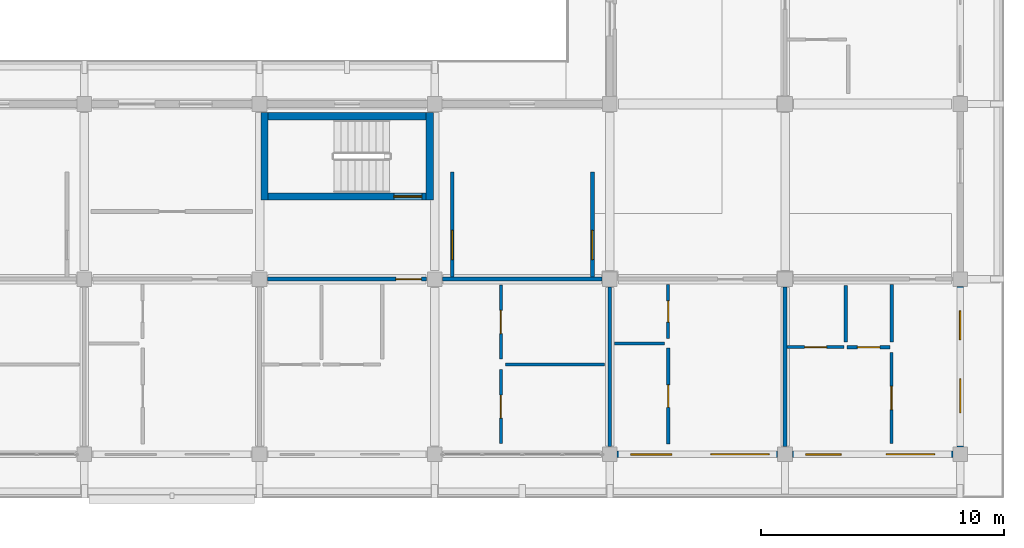
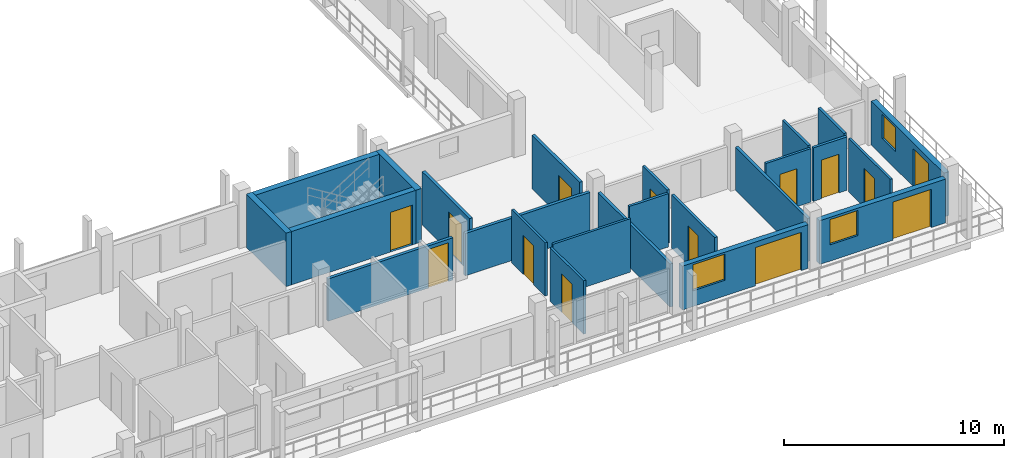
# One storey, part 130 of 157: 24 walls, 14 doors, 3 windows, 17 openings.
"""IFC4 building model written with IfcOpenShell, lengths in metres."""

from ifc_helpers import new_model, si_unit, direction, frame, frame_2d, origin, place, context, subcontext, project, spatial, rectangle, extrude, material, layer, layer_set, type_object, element, fill, save


model = new_model("IFC4")

# Units and contexts
model_context = context("Model", 3, precision=1e-05, world=origin(), true_north=direction((0.0, 1.0)))
body_context = subcontext(model_context, "Body", "Model", "MODEL_VIEW")
ifc_project = project(units=[si_unit("LENGTHUNIT", "METRE"), si_unit("AREAUNIT", "SQUARE_METRE"), si_unit("VOLUMEUNIT", "CUBIC_METRE"), si_unit("PLANEANGLEUNIT", "RADIAN"), si_unit("MASSUNIT", "GRAM", prefix="KILO")], contexts=[model_context])

# Site, building, storey
site_placement = place(None, origin())
site = spatial("IfcSite", under=ifc_project, at=site_placement, CompositionType="ELEMENT")
building_placement = place(site_placement, origin())
building = spatial("IfcBuilding", under=site, at=building_placement, Name="Suanplinth Sawtooth Commons", CompositionType="ELEMENT")
storey_placement = place(building_placement, frame((0.0, 0.0, 9.0)))
storey = spatial("IfcBuildingStorey", under=building, at=storey_placement, Name="L02", CompositionType="ELEMENT", Elevation=9.0)

# Wall, opening, door
ifc_material_1 = material(Name="Concrete C40/50", Category="concrete")
ifc_layer_1 = layer(ifc_material_1, 0.300048828125, Name="Standard RC stair and lift core wall 300mm")
ifc_layer_set_1 = layer_set([ifc_layer_1], Name="Concrete C40/50")
wall_type_1 = type_object("IfcWallType", Name="W-CR02", PredefinedType="SHEAR", material=ifc_layer_set_1)
wall_1_placement = place(storey_placement, frame((158.75, 10.60009765625, 0.0), z_axis=(0.0, 0.0, 1.0), x_axis=(1.0, 0.0, 0.0)))
wall_1 = element("IfcWall", 1, at=wall_1_placement, inside=storey, type_object=wall_type_1, Name="W-L02-C-C2-STS", PredefinedType="SHEAR", context=body_context, shape_type="SweptSolid", body=[
    extrude(rectangle(XDim=6.5, YDim=0.300048828125, at=frame_2d((3.25, 0.0))), origin(), (0.0, 0.0, 1.0), 2.9599609375),
])
opening_1_placement = place(wall_1_placement, frame((5.169921875, 0.0, 0.0)))
opening_1 = element("IfcOpeningElement", 2, at=opening_1_placement, cuts=wall_1, Name="Opening FD0330", PredefinedType="OPENING", context=body_context, shape_type="SweptSolid", body=[
    extrude(rectangle(XDim=1.14990234375, YDim=2.199951171875, at=frame_2d((0.574951171875, 1.10009765625))), frame((0.0, 0.1650390625, 0.0), z_axis=(0.0, -1.0, 0.0), x_axis=(1.0, 0.0, 0.0)), (0.0, 0.0, 1.0), 0.329833984375),
])
ifc_material_2 = material(Name="Teak hardwood fire-rated door assembly", Category="wood")
door_type_1 = type_object("IfcDoorType", Name="FD-01", OperationType="NOTDEFINED", PredefinedType="DOOR", material=ifc_material_2)
door_1_placement = place(opening_1_placement, origin())
door_1 = element("IfcDoor", 3, at=door_1_placement, inside=storey, type_object=door_type_1, Name="Exit Stair Fire Door FD0330", OperationType="SINGLE_SWING_LEFT", OverallHeight=2.199951171875, OverallWidth=1.14990234375, PredefinedType="DOOR", context=body_context, shape_type="SweptSolid", body=[
    extrude(rectangle(XDim=1.14990234375, YDim=2.199951171875, at=frame_2d((0.574951171875, 1.10009765625))), frame((0.0, 0.02490234375, 0.0), z_axis=(0.0, -1.0, 0.0), x_axis=(1.0, 0.0, 0.0)), (0.0, 0.0, 1.0), 0.050048828125),
])
fill(opening_1, door_1)

# Walls
wall_2_placement = place(storey_placement, frame((158.75, 13.89990234375, 0.0), z_axis=(0.0, 0.0, 1.0), x_axis=(1.0, 0.0, 0.0)))
element("IfcWall", 4, at=wall_2_placement, inside=storey, type_object=wall_type_1, Name="W-L02-C-C2-STN", PredefinedType="SHEAR", context=body_context, shape_type="SweptSolid", body=[
    extrude(rectangle(XDim=6.5, YDim=0.300048828125, at=frame_2d((3.25, 0.0))), origin(), (0.0, 0.0, 1.0), 2.9599609375),
])
for number, where, z_axis, x_axis, name in (
    (5, (158.60009765625, 10.449951171875, 0.0), (0.0, 0.0, 1.0), (0.0, 1.0, 0.0), "W-L02-C-C2-STW"),
    (6, (165.39990234375, 10.449951171875, 0.0), (0.0, 0.0, 1.0), (0.0, 1.0, 0.0), "W-L02-C-C2-STE"),
):
    element("IfcWall", number, at=place(storey_placement, frame(where, z_axis=z_axis, x_axis=x_axis)), inside=storey, type_object=wall_type_1, Name=name, PredefinedType="SHEAR", context=body_context, shape_type="SweptSolid", body=[
        extrude(rectangle(XDim=3.60009765625, YDim=0.300048828125, at=frame_2d((1.800048828125, 0.0))), origin(), (0.0, 0.0, 1.0), 2.9599609375),
    ])

# Wall, openings, door, window
ifc_material_3 = material(Name="Precast concrete C40/50", Category="concrete")
ifc_layer_2 = layer(ifc_material_3, 0.280029296875, Name="Insulated precast architectural facade wall 280mm")
ifc_layer_set_2 = layer_set([ifc_layer_2], Name="Precast concrete C40/50")
wall_type_2 = type_object("IfcWallType", Name="W-EX01", PredefinedType="ELEMENTEDWALL", material=ifc_layer_set_2)
wall_3_placement = place(storey_placement, frame((173.10009765625, 0.0, 0.0), z_axis=(0.0, 0.0, 1.0), x_axis=(1.0, 0.0, 0.0)))
wall_3 = element("IfcWall", 7, at=wall_3_placement, inside=storey, type_object=wall_type_2, Name="Facade Wall W-L02-C-S-24-0", PredefinedType="ELEMENTEDWALL", context=body_context, shape_type="SweptSolid", body=[
    extrude(rectangle(XDim=6.599853515625, YDim=0.280029296875, at=frame_2d((3.2998046875, 0.0))), origin(), (0.0, 0.0, 1.0), 2.425048828125),
])
opening_2_placement = place(wall_3_placement, frame((3.85009765625, 0.0, 0.0)))
opening_2 = element("IfcOpeningElement", 8, at=opening_2_placement, cuts=wall_3, Name="Opening ED0186", PredefinedType="OPENING", context=body_context, shape_type="SweptSolid", body=[
    extrude(rectangle(XDim=2.39990234375, YDim=2.1201171875, at=frame_2d((1.199951171875, 1.06005859375))), frame((0.0, 0.15478515625, 0.0), z_axis=(0.0, -1.0, 0.0), x_axis=(1.0, 0.0, 0.0)), (0.0, 0.0, 1.0), 0.309814453125),
])
opening_3_placement = place(wall_3_placement, frame((0.550048828125, 0.0, 0.864990234375)))
opening_3 = element("IfcOpeningElement", 9, at=opening_3_placement, cuts=wall_3, Name="Opening W0304", PredefinedType="OPENING", context=body_context, shape_type="SweptSolid", body=[
    extrude(rectangle(XDim=1.699951171875, YDim=1.449951171875, at=frame_2d((0.85009765625, 0.72509765625))), frame((0.0, 0.15478515625, 0.0), z_axis=(0.0, -1.0, 0.0), x_axis=(1.0, 0.0, 0.0)), (0.0, 0.0, 1.0), 0.309814453125),
])
ifc_material_4 = material(Name="Anodized aluminium and low-E glass", Category="aluminium")
door_type_2 = type_object("IfcDoorType", Name="SD-04", OperationType="DOUBLE_DOOR_SLIDING", PredefinedType="DOOR", material=ifc_material_4)
door_2_placement = place(opening_2_placement, frame((2.39990234375, 0.0, 0.0), z_axis=(0.0, 0.0, 1.0), x_axis=(-1.0, 0.0, 0.0)))
door_2 = element("IfcDoor", 10, at=door_2_placement, inside=storey, type_object=door_type_2, Name="Balcony Sliding Door L02-C-24", OperationType="DOUBLE_DOOR_SLIDING", OverallHeight=2.1201171875, OverallWidth=2.39990234375, PredefinedType="DOOR", context=body_context, shape_type="SweptSolid", body=[
    extrude(rectangle(XDim=2.39990234375, YDim=2.1201171875, at=frame_2d((1.199951171875, 1.06005859375))), frame((0.0, 0.02490234375, 0.0), z_axis=(0.0, -1.0, 0.0), x_axis=(1.0, 0.0, 0.0)), (0.0, 0.0, 1.0), 0.050048828125),
])
fill(opening_2, door_2)
ifc_material_5 = material(Name="Thermally broken aluminium and low-E double glazing", Category="aluminium")
window_type_1 = type_object("IfcWindowType", Name="WN-15", PartitioningType="DOUBLE_PANEL_VERTICAL", PredefinedType="WINDOW", material=ifc_material_5)
window_1_placement = place(opening_3_placement, origin())
window_1 = element("IfcWindow", 11, at=window_1_placement, inside=storey, type_object=window_type_1, Name="Apartment Window L02-C-24", OverallHeight=1.449951171875, OverallWidth=1.699951171875, PartitioningType="DOUBLE_PANEL_VERTICAL", PredefinedType="WINDOW", context=body_context, shape_type="SweptSolid", body=[
    extrude(rectangle(XDim=1.699951171875, YDim=1.449951171875, at=frame_2d((0.85009765625, 0.72509765625))), frame((0.0, 0.030029296875, 0.0), z_axis=(0.0, -1.0, 0.0), x_axis=(1.0, 0.0, 0.0)), (0.0, 0.0, 1.0), 0.06005859375),
])
fill(opening_3, window_1)

wall_4_placement = place(storey_placement, frame((180.300048828125, 0.0, 0.0), z_axis=(0.0, 0.0, 1.0), x_axis=(1.0, 0.0, 0.0)))
wall_4 = element("IfcWall", 12, at=wall_4_placement, inside=storey, type_object=wall_type_2, Name="Facade Wall W-L02-C-S-25-0", PredefinedType="ELEMENTEDWALL", context=body_context, shape_type="SweptSolid", body=[
    extrude(rectangle(XDim=6.599853515625, YDim=0.280029296875, at=frame_2d((3.2998046875, 0.0))), origin(), (0.0, 0.0, 1.0), 2.425048828125),
])
opening_4_placement = place(wall_4_placement, frame((3.85009765625, 0.0, 0.0)))
opening_4 = element("IfcOpeningElement", 13, at=opening_4_placement, cuts=wall_4, Name="Opening ED0191", PredefinedType="OPENING", context=body_context, shape_type="SweptSolid", body=[
    extrude(rectangle(XDim=2.0, YDim=2.1201171875, at=frame_2d((1.0, 1.06005859375))), frame((0.0, 0.15478515625, 0.0), z_axis=(0.0, -1.0, 0.0), x_axis=(1.0, 0.0, 0.0)), (0.0, 0.0, 1.0), 0.309814453125),
])
opening_5_placement = place(wall_4_placement, frame((0.550048828125, 0.0, 0.89990234375)))
opening_5 = element("IfcOpeningElement", 14, at=opening_5_placement, cuts=wall_4, Name="Opening W0306", PredefinedType="OPENING", context=body_context, shape_type="SweptSolid", body=[
    extrude(rectangle(XDim=1.449951171875, YDim=1.39990234375, at=frame_2d((0.72509765625, 0.699951171875))), frame((0.0, 0.15478515625, 0.0), z_axis=(0.0, -1.0, 0.0), x_axis=(1.0, 0.0, 0.0)), (0.0, 0.0, 1.0), 0.309814453125),
])
door_type_3 = type_object("IfcDoorType", Name="SD-06", OperationType="DOUBLE_DOOR_SLIDING", PredefinedType="DOOR", material=ifc_material_4)
door_3_placement = place(opening_4_placement, frame((2.0, 0.0, 0.0), z_axis=(0.0, 0.0, 1.0), x_axis=(-1.0, 0.0, 0.0)))
door_3 = element("IfcDoor", 15, at=door_3_placement, inside=storey, type_object=door_type_3, Name="Balcony Sliding Door L02-C-25", OperationType="DOUBLE_DOOR_SLIDING", OverallHeight=2.1201171875, OverallWidth=2.0, PredefinedType="DOOR", context=body_context, shape_type="SweptSolid", body=[
    extrude(rectangle(XDim=2.0, YDim=2.1201171875, at=frame_2d((1.0, 1.06005859375))), frame((0.0, 0.02490234375, 0.0), z_axis=(0.0, -1.0, 0.0), x_axis=(1.0, 0.0, 0.0)), (0.0, 0.0, 1.0), 0.050048828125),
])
fill(opening_4, door_3)
window_type_2 = type_object("IfcWindowType", Name="WN-16", PartitioningType="DOUBLE_PANEL_VERTICAL", PredefinedType="WINDOW", material=ifc_material_5)
window_2_placement = place(opening_5_placement, origin())
window_2 = element("IfcWindow", 16, at=window_2_placement, inside=storey, type_object=window_type_2, Name="Apartment Window L02-C-25", OverallHeight=1.39990234375, OverallWidth=1.449951171875, PartitioningType="DOUBLE_PANEL_VERTICAL", PredefinedType="WINDOW", context=body_context, shape_type="SweptSolid", body=[
    extrude(rectangle(XDim=1.449951171875, YDim=1.39990234375, at=frame_2d((0.72509765625, 0.699951171875))), frame((0.0, 0.030029296875, 0.0), z_axis=(0.0, -1.0, 0.0), x_axis=(1.0, 0.0, 0.0)), (0.0, 0.0, 1.0), 0.06005859375),
])
fill(opening_5, window_2)

wall_5_placement = place(storey_placement, frame((187.199951171875, 0.300048828125, 0.0), z_axis=(0.0, 0.0, 1.0), x_axis=(0.0, 1.0, 0.0)))
wall_5 = element("IfcWall", 17, at=wall_5_placement, inside=storey, type_object=wall_type_2, Name="Facade Wall W-L02-C-E-25-0", PredefinedType="ELEMENTEDWALL", context=body_context, shape_type="SweptSolid", body=[
    extrude(rectangle(XDim=6.599853515625, YDim=0.280029296875, at=frame_2d((3.2998046875, 0.0))), origin(), (0.0, 0.0, 1.0), 2.425048828125),
])
opening_6_placement = place(wall_5_placement, frame((1.39990234375, 0.0, 0.0)))
opening_6 = element("IfcOpeningElement", 18, at=opening_6_placement, cuts=wall_5, Name="Opening ED0192", PredefinedType="OPENING", context=body_context, shape_type="SweptSolid", body=[
    extrude(rectangle(XDim=1.39990234375, YDim=2.10009765625, at=frame_2d((0.699951171875, 1.050048828125))), frame((0.0, 0.15478515625, 0.0), z_axis=(0.0, -1.0, 0.0), x_axis=(1.0, 0.0, 0.0)), (0.0, 0.0, 1.0), 0.309814453125),
])
opening_7_placement = place(wall_5_placement, frame((4.39990234375, 0.0, 0.949951171875)))
opening_7 = element("IfcOpeningElement", 19, at=opening_7_placement, cuts=wall_5, Name="Opening W0307", PredefinedType="OPENING", context=body_context, shape_type="SweptSolid", body=[
    extrude(rectangle(XDim=1.199951171875, YDim=1.35009765625, at=frame_2d((0.60009765625, 0.675048828125))), frame((0.0, 0.15478515625, 0.0), z_axis=(0.0, -1.0, 0.0), x_axis=(1.0, 0.0, 0.0)), (0.0, 0.0, 1.0), 0.309814453125),
])
door_type_4 = type_object("IfcDoorType", Name="SD-07", OperationType="SLIDING_TO_RIGHT", PredefinedType="DOOR", material=ifc_material_4)
door_4_placement = place(opening_6_placement, frame((1.39990234375, 0.0, 0.0), z_axis=(0.0, 0.0, 1.0), x_axis=(-1.0, 0.0, 0.0)))
door_4 = element("IfcDoor", 20, at=door_4_placement, inside=storey, type_object=door_type_4, Name="End Balcony Sliding Door L02-C-E-25-0", OperationType="SLIDING_TO_RIGHT", OverallHeight=2.10009765625, OverallWidth=1.39990234375, PredefinedType="DOOR", context=body_context, shape_type="SweptSolid", body=[
    extrude(rectangle(XDim=1.39990234375, YDim=2.10009765625, at=frame_2d((0.699951171875, 1.050048828125))), frame((0.0, 0.02490234375, 0.0), z_axis=(0.0, -1.0, 0.0), x_axis=(1.0, 0.0, 0.0)), (0.0, 0.0, 1.0), 0.050048828125),
])
fill(opening_6, door_4)
window_type_3 = type_object("IfcWindowType", Name="WN-03", PartitioningType="SINGLE_PANEL", PredefinedType="WINDOW", material=ifc_material_5)
window_3_placement = place(opening_7_placement, origin())
window_3 = element("IfcWindow", 21, at=window_3_placement, inside=storey, type_object=window_type_3, Name="End Bedroom Window L02-C-25-0", OverallHeight=1.35009765625, OverallWidth=1.199951171875, PartitioningType="SINGLE_PANEL", PredefinedType="WINDOW", context=body_context, shape_type="SweptSolid", body=[
    extrude(rectangle(XDim=1.199951171875, YDim=1.35009765625, at=frame_2d((0.60009765625, 0.675048828125))), frame((0.0, 0.030029296875, 0.0), z_axis=(0.0, -1.0, 0.0), x_axis=(1.0, 0.0, 0.0)), (0.0, 0.0, 1.0), 0.06005859375),
])
fill(opening_7, window_3)

# Wall, opening, door
ifc_layer_3 = layer(ifc_material_3, 0.159912109375, Name="Fire-rated corridor and lobby wall 160mm")
ifc_layer_set_3 = layer_set([ifc_layer_3], Name="Precast concrete C40/50")
wall_type_3 = type_object("IfcWallType", Name="W-FW01", PredefinedType="PARTITIONING", material=ifc_layer_set_3)
wall_6_placement = place(storey_placement, frame((166.320068359375, 7.280029296875, 0.0), z_axis=(0.0, 0.0, 1.0), x_axis=(0.0, 1.0, 0.0)))
wall_6 = element("IfcWall", 22, at=wall_6_placement, inside=storey, type_object=wall_type_3, Name="W-L02-C-C2-LOB-W", PredefinedType="PARTITIONING", context=body_context, shape_type="SweptSolid", body=[
    extrude(rectangle(XDim=4.320068359375, YDim=0.159912109375, at=frame_2d((2.16015625, 0.0))), origin(), (0.0, 0.0, 1.0), 2.9599609375),
])
opening_8_placement = place(wall_6_placement, frame((0.719970703125, 0.0, 0.0)))
opening_8 = element("IfcOpeningElement", 23, at=opening_8_placement, cuts=wall_6, Name="Opening FD0331", PredefinedType="OPENING", context=body_context, shape_type="SweptSolid", body=[
    extrude(rectangle(XDim=1.199951171875, YDim=2.199951171875, at=frame_2d((0.60009765625, 1.10009765625))), frame((0.0, 0.0947265625, 0.0), z_axis=(0.0, -1.0, 0.0), x_axis=(1.0, 0.0, 0.0)), (0.0, 0.0, 1.0), 0.189697265625),
])
door_type_5 = type_object("IfcDoorType", Name="FD-02", OperationType="NOTDEFINED", PredefinedType="DOOR", material=ifc_material_2)
door_5_placement = place(opening_8_placement, origin())
door_5 = element("IfcDoor", 24, at=door_5_placement, inside=storey, type_object=door_type_5, Name="Lobby Fire Door FD0331", OperationType="SINGLE_SWING_RIGHT", OverallHeight=2.199951171875, OverallWidth=1.199951171875, PredefinedType="DOOR", context=body_context, shape_type="SweptSolid", body=[
    extrude(rectangle(XDim=1.199951171875, YDim=2.199951171875, at=frame_2d((0.60009765625, 1.10009765625))), frame((0.0, 0.02490234375, 0.0), z_axis=(0.0, -1.0, 0.0), x_axis=(1.0, 0.0, 0.0)), (0.0, 0.0, 1.0), 0.050048828125),
])
fill(opening_8, door_5)

wall_7_placement = place(storey_placement, frame((172.080078125, 7.280029296875, 0.0), z_axis=(0.0, 0.0, 1.0), x_axis=(0.0, 1.0, 0.0)))
wall_7 = element("IfcWall", 25, at=wall_7_placement, inside=storey, type_object=wall_type_3, Name="W-L02-C-C2-LOB-E", PredefinedType="PARTITIONING", context=body_context, shape_type="SweptSolid", body=[
    extrude(rectangle(XDim=4.320068359375, YDim=0.159912109375, at=frame_2d((2.16015625, 0.0))), origin(), (0.0, 0.0, 1.0), 2.9599609375),
])
opening_9_placement = place(wall_7_placement, frame((0.719970703125, 0.0, 0.0)))
opening_9 = element("IfcOpeningElement", 26, at=opening_9_placement, cuts=wall_7, Name="Opening FD0332", PredefinedType="OPENING", context=body_context, shape_type="SweptSolid", body=[
    extrude(rectangle(XDim=1.199951171875, YDim=2.199951171875, at=frame_2d((0.60009765625, 1.10009765625))), frame((0.0, 0.0947265625, 0.0), z_axis=(0.0, -1.0, 0.0), x_axis=(1.0, 0.0, 0.0)), (0.0, 0.0, 1.0), 0.189697265625),
])
door_6_placement = place(opening_9_placement, frame((1.199951171875, 0.0, 0.0), z_axis=(0.0, 0.0, 1.0), x_axis=(-1.0, 0.0, 0.0)))
door_6 = element("IfcDoor", 27, at=door_6_placement, inside=storey, type_object=door_type_5, Name="Lobby Fire Door FD0332", OperationType="SINGLE_SWING_LEFT", OverallHeight=2.199951171875, OverallWidth=1.199951171875, PredefinedType="DOOR", context=body_context, shape_type="SweptSolid", body=[
    extrude(rectangle(XDim=1.199951171875, YDim=2.199951171875, at=frame_2d((0.60009765625, 1.10009765625))), frame((0.0, 0.02490234375, 0.0), z_axis=(0.0, -1.0, 0.0), x_axis=(1.0, 0.0, 0.0)), (0.0, 0.0, 1.0), 0.050048828125),
])
fill(opening_9, door_6)

wall_8_placement = place(storey_placement, frame((158.72998046875, 7.199951171875, 0.0), z_axis=(0.0, 0.0, 1.0), x_axis=(1.0, 0.0, 0.0)))
wall_8 = element("IfcWall", 28, at=wall_8_placement, inside=storey, type_object=wall_type_3, Name="W-C-L02-U05-COR-S1", PredefinedType="PARTITIONING", context=body_context, shape_type="SweptSolid", body=[
    extrude(rectangle(XDim=6.5400390625, YDim=0.159912109375, at=frame_2d((3.27001953125, 0.0))), origin(), (0.0, 0.0, 1.0), 2.344970703125),
])
opening_10_placement = place(wall_8_placement, frame((5.27490234375, 0.0, 0.0)))
opening_10 = element("IfcOpeningElement", 29, at=opening_10_placement, cuts=wall_8, Name="Opening FD0802", PredefinedType="OPENING", context=body_context, shape_type="SweptSolid", body=[
    extrude(rectangle(XDim=1.050048828125, YDim=2.14990234375, at=frame_2d((0.52490234375, 1.074951171875))), frame((0.0, 0.0947265625, 0.0), z_axis=(0.0, -1.0, 0.0), x_axis=(1.0, 0.0, 0.0)), (0.0, 0.0, 1.0), 0.189697265625),
])
door_type_6 = type_object("IfcDoorType", Name="FD-04", OperationType="NOTDEFINED", PredefinedType="DOOR", material=ifc_material_2)
door_7_placement = place(opening_10_placement, frame((1.050048828125, 0.0, 0.0), z_axis=(0.0, 0.0, 1.0), x_axis=(-1.0, 0.0, 0.0)))
door_7 = element("IfcDoor", 30, at=door_7_placement, inside=storey, type_object=door_type_6, Name="Unit Entrance Door FD0802", OperationType="SINGLE_SWING_RIGHT", OverallHeight=2.14990234375, OverallWidth=1.050048828125, PredefinedType="DOOR", context=body_context, shape_type="SweptSolid", body=[
    extrude(rectangle(XDim=1.050048828125, YDim=2.14990234375, at=frame_2d((0.52490234375, 1.074951171875))), frame((0.0, 0.02490234375, 0.0), z_axis=(0.0, -1.0, 0.0), x_axis=(1.0, 0.0, 0.0)), (0.0, 0.0, 1.0), 0.050048828125),
])
fill(opening_10, door_7)

# Walls
wall_9_placement = place(storey_placement, frame((165.929931640625, 7.199951171875, 0.0), z_axis=(0.0, 0.0, 1.0), x_axis=(1.0, 0.0, 0.0)))
element("IfcWall", 31, at=wall_9_placement, inside=storey, type_object=wall_type_3, Name="W-C-L02-U05-COR-S2", PredefinedType="PARTITIONING", context=body_context, shape_type="SweptSolid", body=[
    extrude(rectangle(XDim=6.5400390625, YDim=0.159912109375, at=frame_2d((3.27001953125, 0.0))), origin(), (0.0, 0.0, 1.0), 2.344970703125),
])
ifc_layer_4 = layer(ifc_material_3, 0.14990234375, Name="Acoustic precast party demising wall 150mm")
ifc_layer_set_4 = layer_set([ifc_layer_4], Name="Precast concrete C40/50")
wall_type_4 = type_object("IfcWallType", Name="W-FW02", PredefinedType="PARTITIONING", material=ifc_layer_set_4)
for number, where, z_axis, x_axis, name in (
    (32, (172.800048828125, 0.330078125, 0.0), (0.0, 0.0, 1.0), (0.0, 1.0, 0.0), "W-C-L02-U05-PTY"),
    (33, (180.0, 0.330078125, 0.0), (0.0, 0.0, 1.0), (0.0, 1.0, 0.0), "W-C-L02-U06-PTY"),
):
    element("IfcWall", number, at=place(storey_placement, frame(where, z_axis=z_axis, x_axis=x_axis)), inside=storey, type_object=wall_type_4, Name=name, PredefinedType="PARTITIONING", context=body_context, shape_type="SweptSolid", body=[
        extrude(rectangle(XDim=6.5400390625, YDim=0.14990234375, at=frame_2d((3.27001953125, 0.0))), origin(), (0.0, 0.0, 1.0), 2.39501953125),
    ])

# Wall, opening, door
ifc_material_6 = material(Name="Gypsum plasterboard on steel stud", Category="steel")
ifc_layer_5 = layer(ifc_material_6, 0.139892578125, Name="Fire-rated kitchen partition 140mm")
ifc_layer_set_5 = layer_set([ifc_layer_5], Name="Gypsum plasterboard on steel stud")
wall_type_5 = type_object("IfcWallType", Name="W-PT01", PredefinedType="PARTITIONING", material=ifc_layer_set_5)
wall_10_placement = place(storey_placement, frame((175.195068359375, 0.419921875, 0.0), z_axis=(0.0, 0.0, 1.0), x_axis=(0.0, 1.0, 0.0)))
wall_10 = element("IfcWall", 34, at=wall_10_placement, inside=storey, type_object=wall_type_5, Name="W-C-L02-U06-KITE", PredefinedType="PARTITIONING", context=body_context, shape_type="SweptSolid", body=[
    extrude(rectangle(XDim=3.940185546875, YDim=0.139892578125, at=frame_2d((1.97021484375, 0.0))), origin(), (0.0, 0.0, 1.0), 2.9599609375),
])
opening_11_placement = place(wall_10_placement, frame((1.5048828125, 0.0, 0.0)))
opening_11 = element("IfcOpeningElement", 35, at=opening_11_placement, cuts=wall_10, Name="Opening D0809", PredefinedType="OPENING", context=body_context, shape_type="SweptSolid", body=[
    extrude(rectangle(XDim=0.929931640625, YDim=2.139892578125, at=frame_2d((0.46484375, 1.06982421875))), frame((0.0, 0.0849609375, 0.0), z_axis=(0.0, -1.0, 0.0), x_axis=(1.0, 0.0, 0.0)), (0.0, 0.0, 1.0), 0.169677734375),
])
ifc_material_7 = material(Name="Teak hardwood", Category="wood")
door_type_7 = type_object("IfcDoorType", Name="D-19", OperationType="NOTDEFINED", PredefinedType="DOOR", material=ifc_material_7)
door_8_placement = place(opening_11_placement, origin())
door_8 = element("IfcDoor", 36, at=door_8_placement, inside=storey, type_object=door_type_7, Name="Kitchen Door D0809", OperationType="SINGLE_SWING_LEFT", OverallHeight=2.139892578125, OverallWidth=0.929931640625, PredefinedType="DOOR", context=body_context, shape_type="SweptSolid", body=[
    extrude(rectangle(XDim=0.929931640625, YDim=2.139892578125, at=frame_2d((0.46484375, 1.06982421875))), frame((0.0, 0.02490234375, 0.0), z_axis=(0.0, -1.0, 0.0), x_axis=(1.0, 0.0, 0.0)), (0.0, 0.0, 1.0), 0.050048828125),
])
fill(opening_11, door_8)

wall_11_placement = place(storey_placement, frame((182.550048828125, 4.39990234375, 0.0), z_axis=(0.0, 0.0, 1.0), x_axis=(1.0, 0.0, 0.0)))
wall_11 = element("IfcWall", 37, at=wall_11_placement, inside=storey, type_object=wall_type_5, Name="W-C-L02-U07-KIT1", PredefinedType="PARTITIONING", context=body_context, shape_type="SweptSolid", body=[
    extrude(rectangle(XDim=1.77001953125, YDim=0.139892578125, at=frame_2d((0.885009765625, 0.0))), origin(), (0.0, 0.0, 1.0), 2.9599609375),
])
opening_12_placement = place(wall_11_placement, frame((0.419921875, 0.0, 0.0)))
opening_12 = element("IfcOpeningElement", 38, at=opening_12_placement, cuts=wall_11, Name="Opening D0812", PredefinedType="OPENING", context=body_context, shape_type="SweptSolid", body=[
    extrude(rectangle(XDim=0.929931640625, YDim=2.139892578125, at=frame_2d((0.46484375, 1.06982421875))), frame((0.0, 0.0849609375, 0.0), z_axis=(0.0, -1.0, 0.0), x_axis=(1.0, 0.0, 0.0)), (0.0, 0.0, 1.0), 0.169677734375),
])
door_9_placement = place(opening_12_placement, origin())
door_9 = element("IfcDoor", 39, at=door_9_placement, inside=storey, type_object=door_type_7, Name="Kitchen Door D0812", OperationType="SINGLE_SWING_RIGHT", OverallHeight=2.139892578125, OverallWidth=0.929931640625, PredefinedType="DOOR", context=body_context, shape_type="SweptSolid", body=[
    extrude(rectangle(XDim=0.929931640625, YDim=2.139892578125, at=frame_2d((0.46484375, 1.06982421875))), frame((0.0, 0.02490234375, 0.0), z_axis=(0.0, -1.0, 0.0), x_axis=(1.0, 0.0, 0.0)), (0.0, 0.0, 1.0), 0.050048828125),
])
fill(opening_12, door_9)

# Walls
wall_12_placement = place(storey_placement, frame((184.389892578125, 4.6201171875, 0.0), z_axis=(0.0, 0.0, 1.0), x_axis=(0.0, 1.0, 0.0)))
element("IfcWall", 40, at=wall_12_placement, inside=storey, type_object=wall_type_5, Name="W-C-L02-U07-KIT2", PredefinedType="PARTITIONING", context=body_context, shape_type="SweptSolid", body=[
    extrude(rectangle(XDim=2.349853515625, YDim=0.139892578125, at=frame_2d((1.1748046875, 0.0))), origin(), (0.0, 0.0, 1.0), 2.9599609375),
])
ifc_layer_6 = layer(ifc_material_6, 0.1298828125, Name="Moisture-resistant bathroom partition 130mm")
ifc_layer_set_6 = layer_set([ifc_layer_6], Name="Gypsum plasterboard on steel stud")
wall_type_6 = type_object("IfcWallType", Name="W-PT02", PredefinedType="PARTITIONING", material=ifc_layer_set_6)
wall_13_placement = place(storey_placement, frame((173.0, 4.56005859375, 0.0), z_axis=(0.0, 0.0, 1.0), x_axis=(1.0, 0.0, 0.0)))
element("IfcWall", 41, at=wall_13_placement, inside=storey, type_object=wall_type_6, Name="W-C-L02-U06-STDIV", PredefinedType="PARTITIONING", context=body_context, shape_type="SweptSolid", body=[
    extrude(rectangle(XDim=2.050048828125, YDim=0.1298828125, at=frame_2d((1.02490234375, 0.0))), origin(), (0.0, 0.0, 1.0), 2.9599609375),
])

# Wall, opening, door
wall_14_placement = place(storey_placement, frame((175.195068359375, 4.760009765625, 0.0), z_axis=(0.0, 0.0, 1.0), x_axis=(0.0, 1.0, 0.0)))
wall_14 = element("IfcWall", 42, at=wall_14_placement, inside=storey, type_object=wall_type_6, Name="W-C-L02-U06-BTHE", PredefinedType="PARTITIONING", context=body_context, shape_type="SweptSolid", body=[
    extrude(rectangle(XDim=2.219970703125, YDim=0.1298828125, at=frame_2d((1.10986328125, 0.0))), origin(), (0.0, 0.0, 1.0), 2.9599609375),
])
opening_13_placement = place(wall_14_placement, frame((0.669921875, 0.0, 0.0)))
opening_13 = element("IfcOpeningElement", 43, at=opening_13_placement, cuts=wall_14, Name="Opening D0808", PredefinedType="OPENING", context=body_context, shape_type="SweptSolid", body=[
    extrude(rectangle(XDim=0.8798828125, YDim=2.10009765625, at=frame_2d((0.43994140625, 1.050048828125))), frame((0.0, 0.079833984375, 0.0), z_axis=(0.0, -1.0, 0.0), x_axis=(1.0, 0.0, 0.0)), (0.0, 0.0, 1.0), 0.15966796875),
])
door_type_8 = type_object("IfcDoorType", Name="D-14", OperationType="NOTDEFINED", PredefinedType="DOOR", material=ifc_material_7)
door_10_placement = place(opening_13_placement, origin())
door_10 = element("IfcDoor", 44, at=door_10_placement, inside=storey, type_object=door_type_8, Name="Bathroom Door D0808", OperationType="SINGLE_SWING_RIGHT", OverallHeight=2.10009765625, OverallWidth=0.8798828125, PredefinedType="DOOR", context=body_context, shape_type="SweptSolid", body=[
    extrude(rectangle(XDim=0.8798828125, YDim=2.10009765625, at=frame_2d((0.43994140625, 1.050048828125))), frame((0.0, 0.02490234375, 0.0), z_axis=(0.0, -1.0, 0.0), x_axis=(1.0, 0.0, 0.0)), (0.0, 0.0, 1.0), 0.050048828125),
])
fill(opening_13, door_10)

wall_15_placement = place(storey_placement, frame((180.080078125, 4.405029296875, 0.0), z_axis=(0.0, 0.0, 1.0), x_axis=(1.0, 0.0, 0.0)))
wall_15 = element("IfcWall", 45, at=wall_15_placement, inside=storey, type_object=wall_type_6, Name="W-C-L02-U07-BTH1", PredefinedType="PARTITIONING", context=body_context, shape_type="SweptSolid", body=[
    extrude(rectangle(XDim=2.349853515625, YDim=0.1298828125, at=frame_2d((1.1748046875, 0.0))), origin(), (0.0, 0.0, 1.0), 2.9599609375),
])
opening_14_placement = place(wall_15_placement, frame((0.72509765625, 0.0, 0.0)))
opening_14 = element("IfcOpeningElement", 46, at=opening_14_placement, cuts=wall_15, Name="Opening D0811", PredefinedType="OPENING", context=body_context, shape_type="SweptSolid", body=[
    extrude(rectangle(XDim=0.89990234375, YDim=2.10009765625, at=frame_2d((0.449951171875, 1.050048828125))), frame((0.0, 0.079833984375, 0.0), z_axis=(0.0, -1.0, 0.0), x_axis=(1.0, 0.0, 0.0)), (0.0, 0.0, 1.0), 0.15966796875),
])
door_type_9 = type_object("IfcDoorType", Name="D-01", OperationType="NOTDEFINED", PredefinedType="DOOR", material=ifc_material_7)
door_11_placement = place(opening_14_placement, origin())
door_11 = element("IfcDoor", 47, at=door_11_placement, inside=storey, type_object=door_type_9, Name="Bathroom Door D0811", OperationType="SINGLE_SWING_LEFT", OverallHeight=2.10009765625, OverallWidth=0.89990234375, PredefinedType="DOOR", context=body_context, shape_type="SweptSolid", body=[
    extrude(rectangle(XDim=0.89990234375, YDim=2.10009765625, at=frame_2d((0.449951171875, 1.050048828125))), frame((0.0, 0.02490234375, 0.0), z_axis=(0.0, -1.0, 0.0), x_axis=(1.0, 0.0, 0.0)), (0.0, 0.0, 1.0), 0.050048828125),
])
fill(opening_14, door_11)

# Wall
wall_16_placement = place(storey_placement, frame((182.4951171875, 4.610107421875, 0.0), z_axis=(0.0, 0.0, 1.0), x_axis=(0.0, 1.0, 0.0)))
element("IfcWall", 48, at=wall_16_placement, inside=storey, type_object=wall_type_6, Name="W-C-L02-U07-BTH2", PredefinedType="PARTITIONING", context=body_context, shape_type="SweptSolid", body=[
    extrude(rectangle(XDim=2.329833984375, YDim=0.1298828125, at=frame_2d((1.1650390625, 0.0))), origin(), (0.0, 0.0, 1.0), 2.9599609375),
])

# Wall, opening, door
ifc_layer_7 = layer(ifc_material_6, 0.1201171875, Name="Acoustic bedroom partition 120mm")
ifc_layer_set_7 = layer_set([ifc_layer_7], Name="Gypsum plasterboard on steel stud")
wall_type_7 = type_object("IfcWallType", Name="W-PT03", PredefinedType="PARTITIONING", material=ifc_layer_set_7)
wall_17_placement = place(storey_placement, frame((168.320068359375, 0.43994140625, 0.0), z_axis=(0.0, 0.0, 1.0), x_axis=(0.0, 1.0, 0.0)))
wall_17 = element("IfcWall", 49, at=wall_17_placement, inside=storey, type_object=wall_type_7, Name="W-C-L02-U05-BED1", PredefinedType="PARTITIONING", context=body_context, shape_type="SweptSolid", body=[
    extrude(rectangle(XDim=3.0400390625, YDim=0.1201171875, at=frame_2d((1.52001953125, 0.0))), origin(), (0.0, 0.0, 1.0), 2.9599609375),
])
opening_15_placement = place(wall_17_placement, frame((1.044921875, 0.0, 0.0)))
opening_15 = element("IfcOpeningElement", 50, at=opening_15_placement, cuts=wall_17, Name="Opening D0805", PredefinedType="OPENING", context=body_context, shape_type="SweptSolid", body=[
    extrude(rectangle(XDim=0.949951171875, YDim=2.14990234375, at=frame_2d((0.47509765625, 1.074951171875))), frame((0.0, 0.074951171875, 0.0), z_axis=(0.0, -1.0, 0.0), x_axis=(1.0, 0.0, 0.0)), (0.0, 0.0, 1.0), 0.14990234375),
])
door_type_10 = type_object("IfcDoorType", Name="D-03", OperationType="NOTDEFINED", PredefinedType="DOOR", material=ifc_material_7)
door_12_placement = place(opening_15_placement, frame((0.949951171875, 0.0, 0.0), z_axis=(0.0, 0.0, 1.0), x_axis=(-1.0, 0.0, 0.0)))
door_12 = element("IfcDoor", 51, at=door_12_placement, inside=storey, type_object=door_type_10, Name="Bedroom Door D0805", OperationType="SINGLE_SWING_LEFT", OverallHeight=2.14990234375, OverallWidth=0.949951171875, PredefinedType="DOOR", context=body_context, shape_type="SweptSolid", body=[
    extrude(rectangle(XDim=0.949951171875, YDim=2.14990234375, at=frame_2d((0.47509765625, 1.074951171875))), frame((0.0, 0.02490234375, 0.0), z_axis=(0.0, -1.0, 0.0), x_axis=(1.0, 0.0, 0.0)), (0.0, 0.0, 1.0), 0.050048828125),
])
fill(opening_15, door_12)

wall_18_placement = place(storey_placement, frame((168.320068359375, 3.919921875, 0.0), z_axis=(0.0, 0.0, 1.0), x_axis=(0.0, 1.0, 0.0)))
wall_18 = element("IfcWall", 52, at=wall_18_placement, inside=storey, type_object=wall_type_7, Name="W-C-L02-U05-BED2", PredefinedType="PARTITIONING", context=body_context, shape_type="SweptSolid", body=[
    extrude(rectangle(XDim=3.0400390625, YDim=0.1201171875, at=frame_2d((1.52001953125, 0.0))), origin(), (0.0, 0.0, 1.0), 2.9599609375),
])
opening_16_placement = place(wall_18_placement, frame((1.0400390625, 0.0, 0.0)))
opening_16 = element("IfcOpeningElement", 53, at=opening_16_placement, cuts=wall_18, Name="Opening D0806", PredefinedType="OPENING", context=body_context, shape_type="SweptSolid", body=[
    extrude(rectangle(XDim=0.9599609375, YDim=2.14990234375, at=frame_2d((0.47998046875, 1.074951171875))), frame((0.0, 0.074951171875, 0.0), z_axis=(0.0, -1.0, 0.0), x_axis=(1.0, 0.0, 0.0)), (0.0, 0.0, 1.0), 0.14990234375),
])
door_type_11 = type_object("IfcDoorType", Name="D-13", OperationType="NOTDEFINED", PredefinedType="DOOR", material=ifc_material_7)
door_13_placement = place(opening_16_placement, frame((0.9599609375, 0.0, 0.0), z_axis=(0.0, 0.0, 1.0), x_axis=(-1.0, 0.0, 0.0)))
door_13 = element("IfcDoor", 54, at=door_13_placement, inside=storey, type_object=door_type_11, Name="Second Bedroom Door D0806", OperationType="SINGLE_SWING_RIGHT", OverallHeight=2.14990234375, OverallWidth=0.9599609375, PredefinedType="DOOR", context=body_context, shape_type="SweptSolid", body=[
    extrude(rectangle(XDim=0.9599609375, YDim=2.14990234375, at=frame_2d((0.47998046875, 1.074951171875))), frame((0.0, 0.02490234375, 0.0), z_axis=(0.0, -1.0, 0.0), x_axis=(1.0, 0.0, 0.0)), (0.0, 0.0, 1.0), 0.050048828125),
])
fill(opening_16, door_13)

wall_19_placement = place(storey_placement, frame((184.3798828125, 0.43994140625, 0.0), z_axis=(0.0, 0.0, 1.0), x_axis=(0.0, 1.0, 0.0)))
wall_19 = element("IfcWall", 55, at=wall_19_placement, inside=storey, type_object=wall_type_7, Name="W-C-L02-U07-BED1", PredefinedType="PARTITIONING", context=body_context, shape_type="SweptSolid", body=[
    extrude(rectangle(XDim=3.75, YDim=0.1201171875, at=frame_2d((1.875, 0.0))), origin(), (0.0, 0.0, 1.0), 2.9599609375),
])
opening_17_placement = place(wall_19_placement, frame((1.39990234375, 0.0, 0.0)))
opening_17 = element("IfcOpeningElement", 56, at=opening_17_placement, cuts=wall_19, Name="Opening D0813", PredefinedType="OPENING", context=body_context, shape_type="SweptSolid", body=[
    extrude(rectangle(XDim=0.949951171875, YDim=2.14990234375, at=frame_2d((0.47509765625, 1.074951171875))), frame((0.0, 0.074951171875, 0.0), z_axis=(0.0, -1.0, 0.0), x_axis=(1.0, 0.0, 0.0)), (0.0, 0.0, 1.0), 0.14990234375),
])
door_14_placement = place(opening_17_placement, origin())
door_14 = element("IfcDoor", 57, at=door_14_placement, inside=storey, type_object=door_type_10, Name="Bedroom Door D0813", OperationType="SINGLE_SWING_LEFT", OverallHeight=2.14990234375, OverallWidth=0.949951171875, PredefinedType="DOOR", context=body_context, shape_type="SweptSolid", body=[
    extrude(rectangle(XDim=0.949951171875, YDim=2.14990234375, at=frame_2d((0.47509765625, 1.074951171875))), frame((0.0, 0.02490234375, 0.0), z_axis=(0.0, -1.0, 0.0), x_axis=(1.0, 0.0, 0.0)), (0.0, 0.0, 1.0), 0.050048828125),
])
fill(opening_17, door_14)

# Wall
ifc_layer_8 = layer(ifc_material_6, 0.125, Name="Acoustic study partition 125mm")
ifc_layer_set_8 = layer_set([ifc_layer_8], Name="Gypsum plasterboard on steel stud")
wall_type_8 = type_object("IfcWallType", Name="W-PT06", PredefinedType="PARTITIONING", material=ifc_layer_set_8)
wall_20_placement = place(storey_placement, frame((168.52001953125, 3.699951171875, 0.0), z_axis=(0.0, 0.0, 1.0), x_axis=(1.0, 0.0, 0.0)))
element("IfcWall", 58, at=wall_20_placement, inside=storey, type_object=wall_type_8, Name="W-C-L02-U05-BEDDIV", PredefinedType="PARTITIONING", context=body_context, shape_type="SweptSolid", body=[
    extrude(rectangle(XDim=4.06005859375, YDim=0.125, at=frame_2d((2.030029296875, 0.0))), origin(), (0.0, 0.0, 1.0), 2.9599609375),
])

save(model, "model.ifc")
